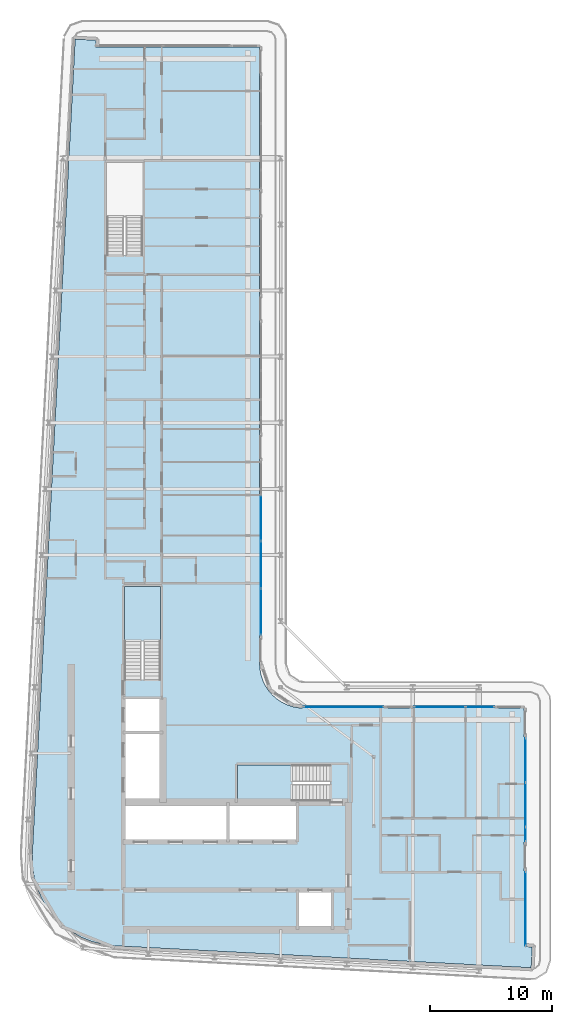
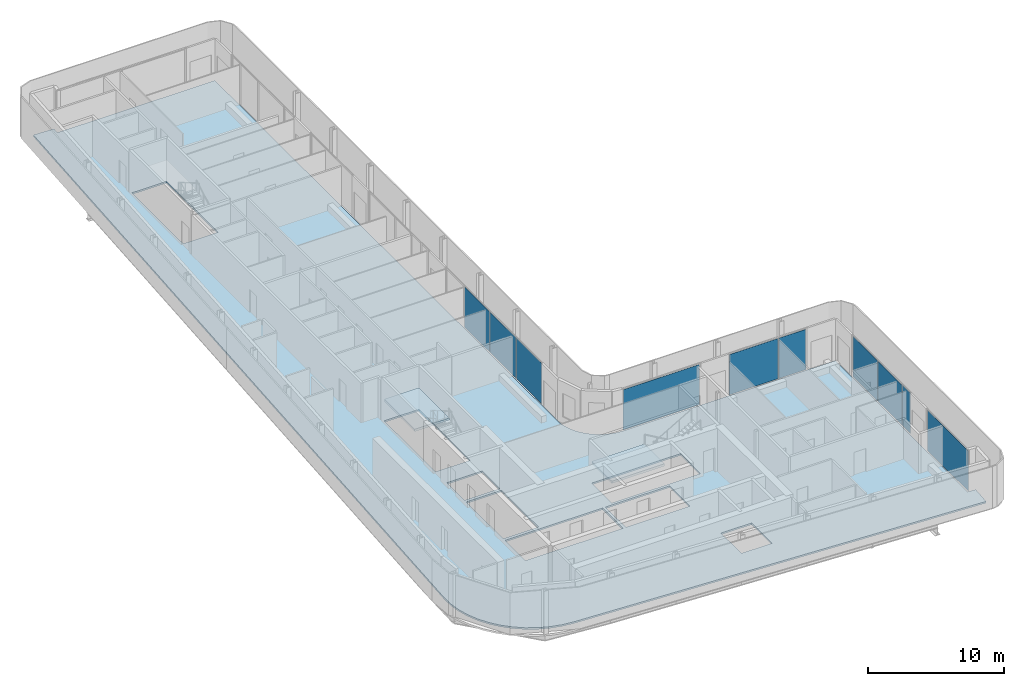
# One storey, part 9 of 21: 10 plates, 3 slabs, 9 elements without a shape of their own.
"""IFC4 building model written with IfcOpenShell, lengths in metres."""

import ifcopenshell
import ifcopenshell.guid

model = None  # the IFC model being written
_history = None  # IfcOwnerHistory: only IFC2X3 demands one
_inside = {}  # id of a spatial element -> (the spatial element, [elements in it])
_under = {}  # id of a project, library or spatial element -> (it, [spatial elements below it])
_declared = {}  # id of a project -> (the project, [libraries it declares])
_typed = {}  # id of a type object -> (the type object, [elements of that type])
_made_of = {}  # id of a material, layer set ... -> (it, [elements and type objects made of it])


def new_model(schema):
    """Start an empty IFC model of exactly this schema.

    Asked for "IFC4X3", IfcOpenShell would pick the latest addendum, in which some entities
    have other attributes; the version numbers below select the first issue.
    IFC2X3 requires an IfcOwnerHistory on every rooted entity: one is made here for all.
    """
    global model, _history
    if schema == "IFC4X3":
        model = ifcopenshell.file(schema_version=(4, 3, 0, 0))
    else:
        model = ifcopenshell.file(schema=schema)
    _inside.clear()
    _under.clear()
    _declared.clear()
    _typed.clear()
    _made_of.clear()
    _history = None
    if model.schema == "IFC2X3":
        org = make("IfcOrganization", Name="unknown")
        user = make(
            "IfcPersonAndOrganization",
            ThePerson=make("IfcPerson", FamilyName="unknown"),
            TheOrganization=org,
        )
        app = make(
            "IfcApplication",
            ApplicationDeveloper=org,
            Version="unknown",
            ApplicationFullName="unknown",
            ApplicationIdentifier="unknown",
        )
        _history = make(
            "IfcOwnerHistory",
            OwningUser=user,
            OwningApplication=app,
            ChangeAction="ADDED",
            CreationDate=0,
        )
    return model


def make(cls, **values):
    """One entity of the class cls with the attributes given. An attribute that is None is left unset."""
    return model.create_entity(
        cls, **{name: value for name, value in values.items() if value is not None}
    )


def rooted(cls, **values):
    """An entity with a GlobalId (a new one), such as an element, a storey or a relation."""
    return make(cls, GlobalId=ifcopenshell.guid.new(), OwnerHistory=_history, **values)


def si_unit(unit_type, name, prefix=None):
    """IfcSIUnit, for example si_unit("LENGTHUNIT", "METRE", prefix="MILLI")."""
    return make("IfcSIUnit", UnitType=unit_type, Prefix=prefix, Name=name)


def assignment(units):
    """IfcUnitAssignment: the units of a project."""
    return None if units is None else make("IfcUnitAssignment", Units=units)


def point(xyz):
    """IfcCartesianPoint."""
    return None if xyz is None else make("IfcCartesianPoint", Coordinates=xyz)


def direction(xyz):
    """IfcDirection."""
    return None if xyz is None else make("IfcDirection", DirectionRatios=xyz)


def frame(location, z_axis=None, x_axis=None):
    """IfcAxis2Placement3D, a coordinate frame: its origin and axes. An axis left out is left unset."""
    return make(
        "IfcAxis2Placement3D",
        Location=point(location),
        Axis=direction(z_axis),
        RefDirection=direction(x_axis),
    )


def frame_2d(location, x_axis=None):
    """IfcAxis2Placement2D, a coordinate frame in the plane: its origin and x axis."""
    return make(
        "IfcAxis2Placement2D", Location=point(location), RefDirection=direction(x_axis)
    )


def origin():
    """The frame at (0, 0, 0) with its axes left unset."""
    return frame((0.0, 0.0, 0.0))


def origin_2d():
    """The frame at (0, 0) in the plane with its x axis left unset."""
    return frame_2d((0.0, 0.0))


def place(relative_to, where):
    """IfcLocalPlacement: puts the frame where relative to a parent placement (None: the world)."""
    return make(
        "IfcLocalPlacement", PlacementRelTo=relative_to, RelativePlacement=where
    )


def context(
    kind, dimensions, precision=None, world=None, true_north=None, identifier=None
):
    """IfcGeometricRepresentationContext, for example the 3D "Model" context."""
    return make(
        "IfcGeometricRepresentationContext",
        ContextIdentifier=identifier,
        ContextType=kind,
        CoordinateSpaceDimension=dimensions,
        Precision=precision,
        WorldCoordinateSystem=world,
        TrueNorth=true_north,
    )


def subcontext(parent, identifier, kind, view, scale=None):
    """IfcGeometricRepresentationSubContext, for example "Body" below "Model"."""
    return make(
        "IfcGeometricRepresentationSubContext",
        ContextIdentifier=identifier,
        ContextType=kind,
        ParentContext=parent,
        TargetScale=scale,
        TargetView=view,
    )


def project(units=None, contexts=None):
    """IfcProject with its units and contexts."""
    return rooted(
        "IfcProject",
        Name="project",
        RepresentationContexts=contexts,
        UnitsInContext=assignment(units),
    )


def spatial(cls, under=None, at=None, **own):
    """A site, building, storey or space (cls), placed at a placement, below another one or the project."""
    s = rooted(cls, ObjectPlacement=at, **own)
    if under is not None:
        _under.setdefault(under.id(), (under, []))[1].append(s)
    return s


def polyline(points):
    """IfcPolyline through the points."""
    return make("IfcPolyline", Points=[point(p) for p in points])


def profile(cls, at=None, kind="AREA", **sizes):
    """A parametric profile (cls). Its sizes go by their IFC names, for example OverallWidth=200.0."""
    return make(cls, ProfileType=kind, Position=at, **sizes)


def rectangle(**sizes):
    """IfcRectangleProfileDef."""
    return profile("IfcRectangleProfileDef", **sizes)


def outline(outer, holes=None, kind="AREA"):
    """IfcArbitraryClosedProfileDef: a profile drawn as a closed curve; with holes, ...WithVoids."""
    if holes is None:
        return make("IfcArbitraryClosedProfileDef", ProfileType=kind, OuterCurve=outer)
    return make(
        "IfcArbitraryProfileDefWithVoids",
        ProfileType=kind,
        OuterCurve=outer,
        InnerCurves=holes,
    )


def extrude(swept, where, along, depth):
    """IfcExtrudedAreaSolid: the profile swept, set in the frame where, extruded along a direction by depth."""
    return make(
        "IfcExtrudedAreaSolid",
        SweptArea=swept,
        Position=where,
        ExtrudedDirection=direction(along),
        Depth=depth,
    )


def shape(context_of_items, identifier, shape_type, items):
    """IfcShapeRepresentation: the items that make up one representation, for example the "Body"."""
    return make(
        "IfcShapeRepresentation",
        ContextOfItems=context_of_items,
        RepresentationIdentifier=identifier,
        RepresentationType=shape_type,
        Items=items,
    )


def material(Name=None, Category=None):
    """IfcMaterial."""
    return make("IfcMaterial", Name=Name, Category=Category)


def layer(
    of_material, thickness, ventilated=None, Name=None, Category=None, Priority=None
):
    """IfcMaterialLayer: one layer of a wall or slab, of a material (None: an air gap)."""
    return make(
        "IfcMaterialLayer",
        Material=of_material,
        LayerThickness=thickness,
        IsVentilated=ventilated,
        Name=Name,
        Category=Category,
        Priority=Priority,
    )


def layer_set(layers, Name=None):
    """IfcMaterialLayerSet."""
    return make("IfcMaterialLayerSet", MaterialLayers=layers, LayerSetName=Name)


def made_of(thing, what):
    """Note that an element or type object is made of a material, layer set ...; save() writes the relation."""
    if what is not None:
        _made_of.setdefault(what.id(), (what, []))[1].append(thing)
    return thing


def type_object(cls, material=None, **own):
    """A type object (cls), such as IfcWallType, which elements share."""
    return made_of(rooted(cls, **own), material)


def element(
    cls,
    number,
    at=None,
    inside=None,
    cuts=None,
    type_object=None,
    material=None,
    context=None,
    identifier="Body",
    shape_type=None,
    held_by="IfcProductDefinitionShape",
    body=None,
    shapes=None,
    **own,
):
    """One element of the class cls, such as IfcWall. Its Tag is "e" and its number.

    at: its placement. inside: the storey or other place that contains it. cuts: it is an
    opening in that element (IfcRelVoidsElement). A single representation is given by context,
    identifier, shape_type and body (its items); several are given by shapes. held_by: the class
    of the entity that holds the representations. save() writes the other relations.
    """
    e = rooted(cls, Tag="e%d" % number, ObjectPlacement=at, **own)
    if body is not None:
        shapes = [shape(context, identifier, shape_type, body)]
    if shapes is not None:
        e.Representation = make(held_by, Representations=shapes)
    if inside is not None:
        _inside.setdefault(inside.id(), (inside, []))[1].append(e)
    if cuts is not None:
        rooted(
            "IfcRelVoidsElement", RelatingBuildingElement=cuts, RelatedOpeningElement=e
        )
    if type_object is not None:
        _typed.setdefault(type_object.id(), (type_object, []))[1].append(e)
    return made_of(e, material)


def aggregate(whole, parts):
    """IfcRelAggregates: a whole, such as a stair, and the parts it consists of."""
    return rooted("IfcRelAggregates", RelatingObject=whole, RelatedObjects=parts)


def save(model, path):
    """Write the relations noted so far, then the file.

    IfcRelAggregates (storeys below a building ...), IfcRelContainedInSpatialStructure (elements
    in a storey), IfcRelDefinesByType, IfcRelAssociatesMaterial and IfcRelDeclares: one each for
    every whole, place, type object, material and project.
    """
    for whole, parts in _under.values():
        aggregate(whole, parts)
    for where, things in _inside.values():
        rooted(
            "IfcRelContainedInSpatialStructure",
            RelatedElements=things,
            RelatingStructure=where,
        )
    for kind, things in _typed.values():
        rooted("IfcRelDefinesByType", RelatedObjects=things, RelatingType=kind)
    for what, things in _made_of.values():
        rooted("IfcRelAssociatesMaterial", RelatedObjects=things, RelatingMaterial=what)
    for by, libraries in _declared.values():
        rooted("IfcRelDeclares", RelatingContext=by, RelatedDefinitions=libraries)
    model.write(path)


model = new_model("IFC4")

# Units and contexts
model_context = context("Model", 3, precision=1e-05, world=origin(), true_north=direction((0.0, 1.0)))
body_context = subcontext(model_context, "Body", "Model", "MODEL_VIEW")
ifc_project = project(units=[si_unit("LENGTHUNIT", "METRE"), si_unit("AREAUNIT", "SQUARE_METRE"), si_unit("VOLUMEUNIT", "CUBIC_METRE"), si_unit("PLANEANGLEUNIT", "RADIAN"), si_unit("MASSUNIT", "GRAM", prefix="KILO")], contexts=[model_context])

# Site, building, storey
site_placement = place(None, origin())
site = spatial("IfcSite", under=ifc_project, at=site_placement, CompositionType="ELEMENT")
building_placement = place(site_placement, origin())
building = spatial("IfcBuilding", under=site, at=building_placement, Name="Kheshtan School and Residences Tower", CompositionType="ELEMENT")
storey_placement = place(building_placement, frame((0.0, 0.0, 313.699951171875)))
storey = spatial("IfcBuildingStorey", under=building, at=storey_placement, Name="L74", CompositionType="ELEMENT", Elevation=313.699951171875)

# Curtain wall, plate
ifc_material_1 = material(Name="Clear low-e glass in thermally broken aluminium frame", Category="aluminium")
ifc_layer_1 = layer(ifc_material_1, 0.199951171875)
ifc_layer_set_1 = layer_set([ifc_layer_1], Name="Curtain wall CW-L")
curtain_wall_type = type_object("IfcCurtainWallType", Name="Curtain wall CW-L", PredefinedType="NOTDEFINED", material=ifc_layer_set_1)
curtain_wall_1_placement = place(storey_placement, origin())
curtain_wall_1 = element("IfcCurtainWall", 1, at=curtain_wall_1_placement, inside=storey, type_object=curtain_wall_type, Name="Curtain wall CWL8k", PredefinedType="NOTDEFINED")
ifc_layer_2 = layer(ifc_material_1, 0.031982421875)
ifc_layer_set_2 = layer_set([ifc_layer_2], Name="CW-L glass panel")
plate_type = type_object("IfcPlateType", Name="CW-L glass panel", PredefinedType="CURTAIN_PANEL", material=ifc_layer_set_2)
plate_1_placement = place(storey_placement, frame((46.0, 59.427001953125, 0.0), z_axis=(0.0, 0.0, 1.0), x_axis=(0.0, -1.0, 0.0)))
plate_1 = element("IfcPlate", 2, at=plate_1_placement, type_object=plate_type, Name="CWL8k panel 2.1", PredefinedType="CURTAIN_PANEL", context=body_context, shape_type="SweptSolid", body=[
    extrude(rectangle(XDim=3.68603515625, YDim=0.031982421875, at=origin_2d()), origin(), (0.0, 0.0, 1.0), 3.6298828125),
])
aggregate(curtain_wall_1, [plate_1])

# Curtain wall, plates
curtain_wall_2_placement = place(storey_placement, origin())
curtain_wall_2 = element("IfcCurtainWall", 3, at=curtain_wall_2_placement, inside=storey, type_object=curtain_wall_type, Name="Curtain wall CWL8", PredefinedType="NOTDEFINED")
plate_2_placement = place(storey_placement, frame((46.0, 55.615478515625, 0.0), z_axis=(0.0, 0.0, 1.0), x_axis=(0.0, -1.0, 0.0)))
plate_2 = element("IfcPlate", 4, at=plate_2_placement, type_object=plate_type, Name="CWL8 panel 1.1", PredefinedType="CURTAIN_PANEL", context=body_context, shape_type="SweptSolid", body=[
    extrude(rectangle(XDim=3.81689453125, YDim=0.031982421875, at=origin_2d()), origin(), (0.0, 0.0, 1.0), 3.6298828125),
])
plate_3_placement = place(storey_placement, frame((46.0, 51.7685546875, 0.0), z_axis=(0.0, 0.0, 1.0), x_axis=(0.0, -1.0, 0.0)))
plate_3 = element("IfcPlate", 5, at=plate_3_placement, type_object=plate_type, Name="CWL8 panel 2.1", PredefinedType="CURTAIN_PANEL", context=body_context, shape_type="SweptSolid", body=[
    extrude(rectangle(XDim=3.757080078125, YDim=0.031982421875, at=origin_2d()), origin(), (0.0, 0.0, 1.0), 3.6298828125),
])
aggregate(curtain_wall_2, [plate_2, plate_3])

# Curtain wall, plate
curtain_wall_3_placement = place(storey_placement, origin())
curtain_wall_3 = element("IfcCurtainWall", 6, at=curtain_wall_3_placement, inside=storey, type_object=curtain_wall_type, Name="Curtain wall CWL1233", PredefinedType="NOTDEFINED")
plate_4_placement = place(storey_placement, frame((52.74755859375, 44.0, 0.0), z_axis=(0.0, 0.0, 1.0), x_axis=(1.0, 0.0, 0.0)))
plate_4 = element("IfcPlate", 7, at=plate_4_placement, type_object=plate_type, Name="CWL1233 panel 1.1", PredefinedType="CURTAIN_PANEL", context=body_context, shape_type="SweptSolid", body=[
    extrude(rectangle(XDim=6.514892578125, YDim=0.031982421875, at=origin_2d()), origin(), (0.0, 0.0, 1.0), 3.6298828125),
])
aggregate(curtain_wall_3, [plate_4])

# Curtain wall, plates
curtain_wall_4_placement = place(storey_placement, origin())
curtain_wall_4 = element("IfcCurtainWall", 8, at=curtain_wall_4_placement, inside=storey, type_object=curtain_wall_type, Name="Curtain wall CWL1234", PredefinedType="NOTDEFINED")
plate_5_placement = place(storey_placement, frame((60.597412109375, 44.0, 0.0), z_axis=(0.0, 0.0, 1.0), x_axis=(1.0, 0.0, 0.0)))
plate_5 = element("IfcPlate", 9, at=plate_5_placement, type_object=plate_type, Name="CWL1234 panel 1.1", PredefinedType="CURTAIN_PANEL", context=body_context, shape_type="SweptSolid", body=[
    extrude(rectangle(XDim=4.14501953125, YDim=0.031982421875, at=origin_2d()), origin(), (0.0, 0.0, 1.0), 3.6298828125),
])
plate_6_placement = place(storey_placement, frame((63.885009765625, 44.0, 0.0), z_axis=(0.0, 0.0, 1.0), x_axis=(1.0, 0.0, 0.0)))
plate_6 = element("IfcPlate", 10, at=plate_6_placement, type_object=plate_type, Name="CWL1234 panel 2.1", PredefinedType="CURTAIN_PANEL", context=body_context, shape_type="SweptSolid", body=[
    extrude(rectangle(XDim=2.31005859375, YDim=0.031982421875, at=origin_2d()), origin(), (0.0, 0.0, 1.0), 3.6298828125),
])
aggregate(curtain_wall_4, [plate_5, plate_6])

curtain_wall_5_placement = place(storey_placement, origin())
curtain_wall_5 = element("IfcCurtainWall", 11, at=curtain_wall_5_placement, inside=storey, type_object=curtain_wall_type, Name="Curtain wall CWL13e", PredefinedType="NOTDEFINED")
plate_7_placement = place(storey_placement, frame((67.60009765625, 39.64990234375, 0.0), z_axis=(0.0, 0.0, 1.0), x_axis=(0.0, -1.0, 0.0)))
plate_7 = element("IfcPlate", 12, at=plate_7_placement, type_object=plate_type, Name="CWL13e panel 1.1", PredefinedType="CURTAIN_PANEL", context=body_context, shape_type="SweptSolid", body=[
    extrude(rectangle(XDim=3.580322265625, YDim=0.031982421875, at=origin_2d()), origin(), (0.0, 0.0, 1.0), 3.6298828125),
])
plate_8_placement = place(storey_placement, frame((67.60009765625, 36.009521484375, 0.0), z_axis=(0.0, 0.0, 1.0), x_axis=(0.0, -1.0, 0.0)))
plate_8 = element("IfcPlate", 13, at=plate_8_placement, type_object=plate_type, Name="CWL13e panel 2.1", PredefinedType="CURTAIN_PANEL", context=body_context, shape_type="SweptSolid", body=[
    extrude(rectangle(XDim=3.580322265625, YDim=0.031982421875, at=origin_2d()), origin(), (0.0, 0.0, 1.0), 3.6298828125),
])
aggregate(curtain_wall_5, [plate_7, plate_8])

# Curtain wall, plate
curtain_wall_6_placement = place(storey_placement, origin())
curtain_wall_6 = element("IfcCurtainWall", 14, at=curtain_wall_6_placement, inside=storey, type_object=curtain_wall_type, Name="Curtain wall CWL13f", PredefinedType="NOTDEFINED")
plate_9_placement = place(storey_placement, frame((67.60009765625, 33.589599609375, 0.0), z_axis=(0.0, 0.0, 1.0), x_axis=(0.0, -1.0, 0.0)))
plate_9 = element("IfcPlate", 15, at=plate_9_placement, type_object=plate_type, Name="CWL13f panel 1.1", PredefinedType="CURTAIN_PANEL", context=body_context, shape_type="SweptSolid", body=[
    extrude(rectangle(XDim=1.139892578125, YDim=0.031982421875, at=origin_2d()), origin(), (0.0, 0.0, 1.0), 3.6298828125),
])
aggregate(curtain_wall_6, [plate_9])

curtain_wall_7_placement = place(storey_placement, origin())
curtain_wall_7 = element("IfcCurtainWall", 16, at=curtain_wall_7_placement, inside=storey, type_object=curtain_wall_type, Name="Curtain wall CWL13g", PredefinedType="NOTDEFINED")
plate_10_placement = place(storey_placement, frame((67.60009765625, 27.4892578125, 0.0), z_axis=(0.0, 0.0, 1.0), x_axis=(0.0, -1.0, 0.0)))
plate_10 = element("IfcPlate", 17, at=plate_10_placement, type_object=plate_type, Name="CWL13g panel 1.1", PredefinedType="CURTAIN_PANEL", context=body_context, shape_type="SweptSolid", body=[
    extrude(rectangle(XDim=6.0205078125, YDim=0.031982421875, at=origin_2d()), origin(), (0.0, 0.0, 1.0), 3.6298828125),
])
aggregate(curtain_wall_7, [plate_10])

# Slab
ifc_material_2 = material(Name="Concrete C40/50", Category="concrete")
ifc_layer_3 = layer(ifc_material_2, 0.14990234375)
ifc_layer_set_3 = layer_set([ifc_layer_3], Name="Floor slab 150 Concrete C40/50")
slab_type_1 = type_object("IfcSlabType", Name="Floor slab 150 Concrete C40/50", PredefinedType="FLOOR", material=ifc_layer_set_3)
slab_1_placement = place(storey_placement, frame((0.0, 0.0, -0.14990234375)))
element("IfcSlab", 18, at=slab_1_placement, inside=storey, type_object=slab_type_1, Name="Floor slab L74", PredefinedType="FLOOR", context=body_context, shape_type="SweptSolid", body=[
    extrude(outline(polyline([(28.55908203125, 27.550048828125), (28.0849609375, 28.345947265625), (27.718017578125, 29.200927734375), (27.466064453125, 30.093017578125), (27.466064453125, 30.093994140625), (27.3330078125, 31.013916015625), (27.320068359375, 31.965087890625), (27.320068359375, 31.970947265625), (30.822021484375, 98.5009765625), (30.822998046875, 98.508056640625), (30.825927734375, 98.531005859375), (30.825927734375, 98.531982421875), (30.826904296875, 98.531982421875), (31.422119140625, 98.5), (31.423095703125, 98.5), (31.423095703125, 98.4990234375), (31.423095703125, 98.4951171875), (31.423095703125, 98.493896484375), (31.424072265625, 98.493896484375), (31.424072265625, 98.492919921875), (31.425048828125, 98.492919921875), (31.426025390625, 98.492919921875), (31.426025390625, 98.493896484375), (31.427978515625, 98.49609375), (31.428955078125, 98.4970703125), (31.429931640625, 98.498046875), (31.430908203125, 98.498046875), (31.430908203125, 98.4990234375), (31.431884765625, 98.4990234375), (31.431884765625, 98.5), (31.43505859375, 98.5009765625), (31.43603515625, 98.501953125), (31.43896484375, 98.501953125), (31.43994140625, 98.501953125), (31.43994140625, 98.5029296875), (31.44091796875, 98.5029296875), (31.446044921875, 98.5029296875), (32.5009765625, 98.447021484375), (32.50390625, 98.447021484375), (32.5048828125, 98.447021484375), (32.5048828125, 98.446044921875), (32.506103515625, 98.446044921875), (32.510009765625, 98.446044921875), (32.510009765625, 98.445068359375), (32.510986328125, 98.445068359375), (32.510986328125, 98.444091796875), (32.511962890625, 98.444091796875), (32.511962890625, 98.443115234375), (32.512939453125, 98.443115234375), (32.513916015625, 98.443115234375), (32.513916015625, 98.44189453125), (32.514892578125, 98.44189453125), (32.51611328125, 98.44189453125), (32.51904296875, 98.43896484375), (32.51904296875, 98.43798828125), (32.51904296875, 98.43701171875), (32.52001953125, 98.43701171875), (32.52001953125, 98.43603515625), (32.52099609375, 98.43603515625), (32.52099609375, 98.43408203125), (32.52099609375, 98.43310546875), (32.52197265625, 98.43310546875), (32.52197265625, 98.431884765625), (32.52294921875, 98.431884765625), (32.52294921875, 98.430908203125), (32.52294921875, 98.428955078125), (32.52294921875, 98.427978515625), (32.52392578125, 98.427978515625), (32.52392578125, 98.427001953125), (32.52392578125, 98.422119140625), (32.4970703125, 97.9208984375), (32.4970703125, 97.91796875), (32.4970703125, 97.9169921875), (32.49609375, 97.9169921875), (32.49609375, 97.916015625), (32.49609375, 97.912109375), (32.4951171875, 97.910888671875), (32.4951171875, 97.909912109375), (32.493896484375, 97.909912109375), (32.493896484375, 97.908935546875), (32.492919921875, 97.908935546875), (32.492919921875, 97.907958984375), (32.489013671875, 97.904052734375), (32.488037109375, 97.904052734375), (32.488037109375, 97.903076171875), (32.488037109375, 97.902099609375), (32.488037109375, 97.90087890625), (32.489013671875, 97.90087890625), (32.489013671875, 97.89990234375), (32.489990234375, 97.89990234375), (45.85498046875, 97.89990234375), (45.864990234375, 97.89794921875), (45.865966796875, 97.89794921875), (45.868896484375, 97.89599609375), (45.8740234375, 97.89404296875), (45.8779296875, 97.89208984375), (45.881103515625, 97.889892578125), (45.881103515625, 97.888916015625), (45.882080078125, 97.888916015625), (45.882080078125, 97.887939453125), (45.883056640625, 97.887939453125), (45.884033203125, 97.885009765625), (45.885009765625, 97.885009765625), (45.885009765625, 97.884033203125), (45.887939453125, 97.883056640625), (45.887939453125, 97.882080078125), (45.888916015625, 97.882080078125), (45.888916015625, 97.881103515625), (45.889892578125, 97.881103515625), (45.89208984375, 97.8779296875), (45.89404296875, 97.8740234375), (45.89599609375, 97.868896484375), (45.89794921875, 97.865966796875), (45.89794921875, 97.864990234375), (45.89990234375, 97.85498046875), (45.89990234375, 47.429931640625), (45.927001953125, 47.030029296875), (46.01806640625, 46.570068359375), (46.01806640625, 46.569091796875), (46.169921875, 46.1201171875), (46.37890625, 45.697021484375), (46.638916015625, 45.30810546875), (46.949951171875, 44.950927734375), (46.950927734375, 44.949951171875), (47.30810546875, 44.638916015625), (47.697021484375, 44.37890625), (48.1201171875, 44.169921875), (48.569091796875, 44.01806640625), (48.570068359375, 44.01806640625), (49.030029296875, 43.927001953125), (49.429931640625, 43.89990234375), (67.455078125, 43.89990234375), (67.4599609375, 43.89892578125), (67.465087890625, 43.89794921875), (67.466064453125, 43.89794921875), (67.468994140625, 43.89599609375), (67.47412109375, 43.89404296875), (67.47802734375, 43.89208984375), (67.48095703125, 43.889892578125), (67.48095703125, 43.888916015625), (67.48193359375, 43.888916015625), (67.48193359375, 43.887939453125), (67.48291015625, 43.887939453125), (67.48388671875, 43.885009765625), (67.485107421875, 43.885009765625), (67.485107421875, 43.884033203125), (67.488037109375, 43.883056640625), (67.488037109375, 43.882080078125), (67.489013671875, 43.882080078125), (67.489013671875, 43.881103515625), (67.489990234375, 43.881103515625), (67.491943359375, 43.8779296875), (67.493896484375, 43.8740234375), (67.49609375, 43.868896484375), (67.498046875, 43.865966796875), (67.498046875, 43.864990234375), (67.4990234375, 43.860107421875), (67.5, 43.85498046875), (67.5, 24.4140625), (67.5, 24.4130859375), (67.5009765625, 24.4130859375), (67.5009765625, 24.412109375), (67.501953125, 24.412109375), (67.5029296875, 24.412109375), (67.5029296875, 24.4130859375), (67.5048828125, 24.4150390625), (67.507080078125, 24.4169921875), (67.508056640625, 24.4169921875), (67.508056640625, 24.41796875), (67.509033203125, 24.41796875), (67.509033203125, 24.4189453125), (67.510009765625, 24.4189453125), (67.511962890625, 24.419921875), (67.512939453125, 24.4208984375), (67.51611328125, 24.4208984375), (67.51708984375, 24.4208984375), (67.51708984375, 24.422119140625), (67.51806640625, 24.422119140625), (67.52294921875, 24.422119140625), (68.137939453125, 24.388916015625), (68.14111328125, 24.388916015625), (68.14208984375, 24.388916015625), (68.14208984375, 24.387939453125), (68.14306640625, 24.387939453125), (68.14697265625, 24.387939453125), (68.14697265625, 24.386962890625), (68.14794921875, 24.386962890625), (68.14794921875, 24.385986328125), (68.14892578125, 24.385986328125), (68.14892578125, 24.385009765625), (68.14990234375, 24.385009765625), (68.15087890625, 24.385009765625), (68.15087890625, 24.384033203125), (68.152099609375, 24.384033203125), (68.153076171875, 24.384033203125), (68.153076171875, 24.383056640625), (68.155029296875, 24.381103515625), (68.156005859375, 24.381103515625), (68.156005859375, 24.3798828125), (68.156005859375, 24.37890625), (68.156982421875, 24.37890625), (68.156982421875, 24.3779296875), (68.157958984375, 24.3779296875), (68.157958984375, 24.3759765625), (68.157958984375, 24.375), (68.158935546875, 24.375), (68.158935546875, 24.3740234375), (68.159912109375, 24.3740234375), (68.159912109375, 24.373046875), (68.159912109375, 24.37109375), (68.159912109375, 24.3701171875), (68.160888671875, 24.3701171875), (68.160888671875, 24.368896484375), (68.160888671875, 24.364013671875), (68.10498046875, 23.306884765625), (68.10498046875, 23.303955078125), (68.10498046875, 23.302978515625), (68.10400390625, 23.302978515625), (68.10400390625, 23.302001953125), (68.10400390625, 23.298095703125), (68.10302734375, 23.297119140625), (68.10302734375, 23.2958984375), (68.10205078125, 23.2958984375), (68.10205078125, 23.294921875), (68.10107421875, 23.294921875), (68.10107421875, 23.2939453125), (68.10009765625, 23.29296875), (68.097900390625, 23.291015625), (68.096923828125, 23.2900390625), (68.095947265625, 23.2900390625), (68.095947265625, 23.2890625), (68.095947265625, 23.2880859375), (68.095947265625, 23.287109375), (68.096923828125, 23.287109375), (68.096923828125, 23.285888671875), (68.097900390625, 23.285888671875), (68.09912109375, 23.285888671875), (68.10009765625, 23.285888671875), (68.10009765625, 23.284912109375), (68.068115234375, 22.68994140625), (68.068115234375, 22.68896484375), (68.06689453125, 22.68896484375), (68.04296875, 22.68798828125), (68.0380859375, 22.68798828125), (34.056884765625, 24.47802734375), (33.114990234375, 24.590087890625), (32.215087890625, 24.819091796875), (32.214111328125, 24.819091796875), (31.35205078125, 25.1630859375), (30.541015625, 25.616943359375), (29.799072265625, 26.1708984375), (29.799072265625, 26.172119140625), (29.798095703125, 26.172119140625), (29.134033203125, 26.820068359375), (29.134033203125, 26.821044921875), (29.133056640625, 26.821044921875), (28.55908203125, 27.550048828125)]), holes=[polyline([(67.5009765625, 23.29296875), (67.5, 23.29296875), (67.5, 23.2919921875), (67.5, 23.2880859375), (67.5, 23.287109375), (67.5009765625, 23.287109375), (67.5009765625, 23.285888671875), (67.501953125, 23.285888671875), (67.506103515625, 23.285888671875), (67.507080078125, 23.285888671875), (67.507080078125, 23.287109375), (67.508056640625, 23.287109375), (67.508056640625, 23.2880859375), (67.508056640625, 23.2890625), (67.507080078125, 23.2890625), (67.506103515625, 23.2900390625), (67.5048828125, 23.291015625), (67.5029296875, 23.29296875), (67.5029296875, 23.2939453125), (67.501953125, 23.2939453125), (67.5009765625, 23.2939453125), (67.5009765625, 23.29296875)]), polyline([(31.424072265625, 97.906982421875), (31.423095703125, 97.906982421875), (31.423095703125, 97.906005859375), (31.423095703125, 97.902099609375), (31.423095703125, 97.90087890625), (31.424072265625, 97.90087890625), (31.424072265625, 97.89990234375), (31.425048828125, 97.89990234375), (31.428955078125, 97.89990234375), (31.429931640625, 97.89990234375), (31.429931640625, 97.90087890625), (31.430908203125, 97.90087890625), (31.430908203125, 97.902099609375), (31.430908203125, 97.903076171875), (31.429931640625, 97.903076171875), (31.428955078125, 97.904052734375), (31.427978515625, 97.905029296875), (31.427001953125, 97.906005859375), (31.426025390625, 97.906982421875), (31.426025390625, 97.907958984375), (31.425048828125, 97.907958984375), (31.424072265625, 97.907958984375), (31.424072265625, 97.906982421875)]), polyline([(51.72509765625, 28.925048828125), (49.125, 28.925048828125), (49.125, 25.925048828125), (51.72509765625, 25.925048828125), (51.72509765625, 28.925048828125)]), polyline([(43.175048828125, 33.074951171875), (43.175048828125, 36.074951171875), (34.875, 36.074951171875), (34.875, 33.074951171875), (43.175048828125, 33.074951171875)]), polyline([(43.425048828125, 36.074951171875), (43.425048828125, 33.074951171875), (48.875, 33.074951171875), (48.875, 36.074951171875), (43.425048828125, 36.074951171875)]), polyline([(51.64990234375, 37.699951171875), (51.64990234375, 39.25), (44.090087890625, 39.25), (44.090087890625, 36.300048828125), (51.639892578125, 36.300048828125), (51.639892578125, 37.699951171875), (51.64990234375, 37.699951171875)]), polyline([(37.875, 41.77490234375), (34.875, 41.77490234375), (34.875, 36.324951171875), (37.875, 36.324951171875), (37.875, 41.77490234375)]), polyline([(37.875, 44.625), (34.875, 44.625), (34.875, 42.02490234375), (37.875, 42.02490234375), (37.875, 44.625)]), polyline([(37.800048828125, 53.81005859375), (34.85009765625, 53.81005859375), (34.85009765625, 46.260009765625), (36.25, 46.260009765625), (36.25, 46.25), (37.800048828125, 46.25), (37.800048828125, 53.81005859375)]), polyline([(36.35009765625, 88.4599609375), (33.39990234375, 88.4599609375), (33.39990234375, 80.909912109375), (34.800048828125, 80.909912109375), (34.800048828125, 80.89990234375), (36.35009765625, 80.89990234375), (36.35009765625, 88.4599609375)])]), origin(), (0.0, 0.0, 1.0), 0.14990234375),
])

# Stair, slab
stair_type = type_object("IfcStairType", Name="Exit stair, half-turn", PredefinedType="HALF_TURN_STAIR", material=ifc_material_2)
stair_1_placement = place(storey_placement, origin())
stair_1 = element("IfcStair", 19, at=stair_1_placement, inside=storey, type_object=stair_type, Name="L74 Protected Exit Stair ST1", PredefinedType="HALF_TURN_STAIR")
ifc_layer_4 = layer(ifc_material_2, 0.199951171875)
ifc_layer_set_4 = layer_set([ifc_layer_4], Name="Stair landing 200 Concrete C40/50")
slab_type_2 = type_object("IfcSlabType", Name="Stair landing 200 Concrete C40/50", PredefinedType="LANDING", material=ifc_layer_set_4)
slab_2_placement = place(storey_placement, frame((0.0, 0.0, 1.75)))
slab_2 = element("IfcSlab", 20, at=slab_2_placement, type_object=slab_type_2, Name="ST1 landing 1", PredefinedType="LANDING", context=body_context, shape_type="SweptSolid", body=[
    extrude(outline(polyline([(48.570068359375, 39.25), (44.090087890625, 39.25), (44.090087890625, 36.300048828125), (48.570068359375, 36.300048828125), (48.570068359375, 39.25)])), origin(), (0.0, 0.0, 1.0), 0.199951171875),
])
aggregate(stair_1, [slab_2])

stair_2_placement = place(storey_placement, origin())
stair_2 = element("IfcStair", 21, at=stair_2_placement, inside=storey, type_object=stair_type, Name="L74 Protected Exit Stair ST2", PredefinedType="HALF_TURN_STAIR")
slab_3_placement = place(storey_placement, frame((0.0, 0.0, 1.75)))
slab_3 = element("IfcSlab", 22, at=slab_3_placement, type_object=slab_type_2, Name="ST2 landing 1", PredefinedType="LANDING", context=body_context, shape_type="SweptSolid", body=[
    extrude(outline(polyline([(37.800048828125, 49.330078125), (37.800048828125, 53.81005859375), (34.85009765625, 53.81005859375), (34.85009765625, 49.330078125), (37.800048828125, 49.330078125)])), origin(), (0.0, 0.0, 1.0), 0.199951171875),
])
aggregate(stair_2, [slab_3])

save(model, "model.ifc")
